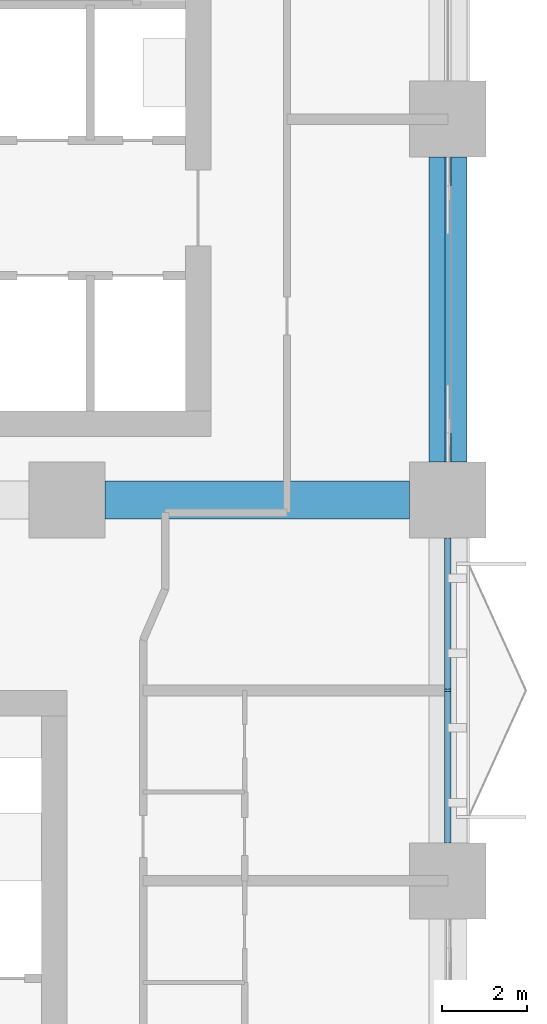
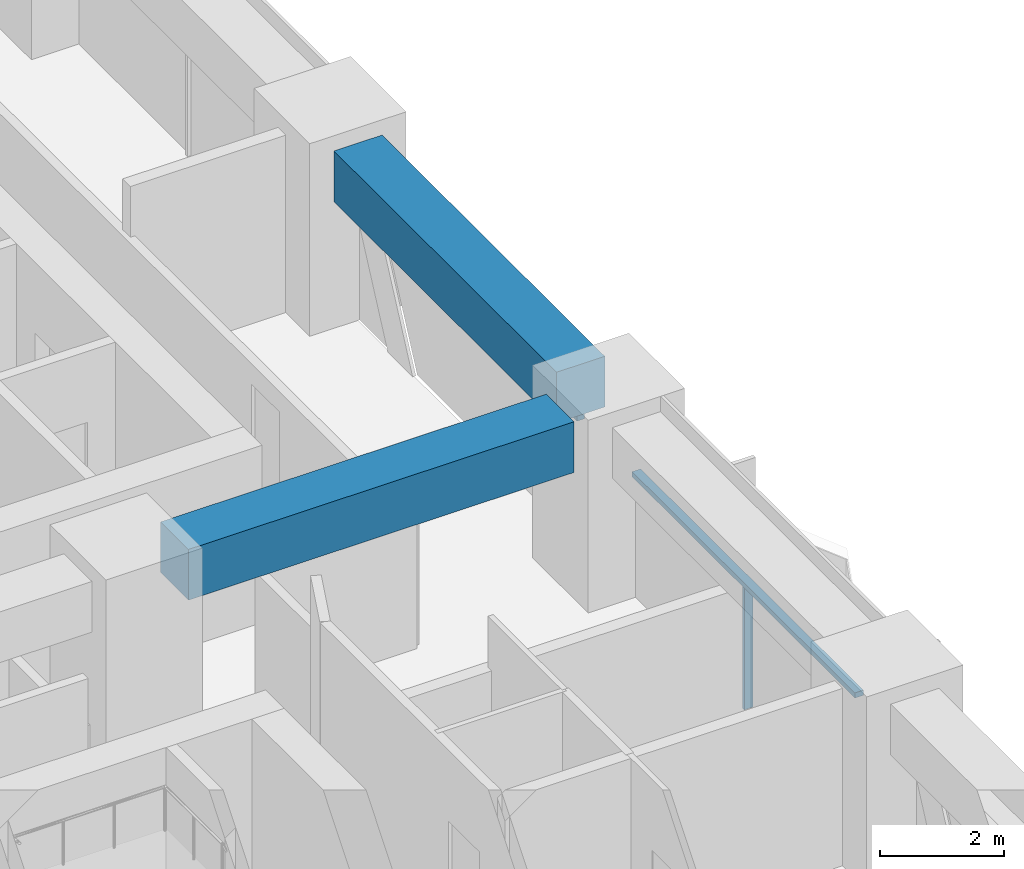
# One storey, part 5 of 18: 3 members, 2 beams, 2 elements without a shape of their own.
"""IFC4 building model written with IfcOpenShell, lengths in metres."""

import ifcopenshell
import ifcopenshell.guid

model = None  # the IFC model being written
_history = None  # IfcOwnerHistory: only IFC2X3 demands one
_inside = {}  # id of a spatial element -> (the spatial element, [elements in it])
_under = {}  # id of a project, library or spatial element -> (it, [spatial elements below it])
_declared = {}  # id of a project -> (the project, [libraries it declares])
_typed = {}  # id of a type object -> (the type object, [elements of that type])
_made_of = {}  # id of a material, layer set ... -> (it, [elements and type objects made of it])


def new_model(schema):
    """Start an empty IFC model of exactly this schema.

    Asked for "IFC4X3", IfcOpenShell would pick the latest addendum, in which some entities
    have other attributes; the version numbers below select the first issue.
    IFC2X3 requires an IfcOwnerHistory on every rooted entity: one is made here for all.
    """
    global model, _history
    if schema == "IFC4X3":
        model = ifcopenshell.file(schema_version=(4, 3, 0, 0))
    else:
        model = ifcopenshell.file(schema=schema)
    _inside.clear()
    _under.clear()
    _declared.clear()
    _typed.clear()
    _made_of.clear()
    _history = None
    if model.schema == "IFC2X3":
        org = make("IfcOrganization", Name="unknown")
        user = make(
            "IfcPersonAndOrganization",
            ThePerson=make("IfcPerson", FamilyName="unknown"),
            TheOrganization=org,
        )
        app = make(
            "IfcApplication",
            ApplicationDeveloper=org,
            Version="unknown",
            ApplicationFullName="unknown",
            ApplicationIdentifier="unknown",
        )
        _history = make(
            "IfcOwnerHistory",
            OwningUser=user,
            OwningApplication=app,
            ChangeAction="ADDED",
            CreationDate=0,
        )
    return model


def make(cls, **values):
    """One entity of the class cls with the attributes given. An attribute that is None is left unset."""
    return model.create_entity(
        cls, **{name: value for name, value in values.items() if value is not None}
    )


def rooted(cls, **values):
    """An entity with a GlobalId (a new one), such as an element, a storey or a relation."""
    return make(cls, GlobalId=ifcopenshell.guid.new(), OwnerHistory=_history, **values)


def si_unit(unit_type, name, prefix=None):
    """IfcSIUnit, for example si_unit("LENGTHUNIT", "METRE", prefix="MILLI")."""
    return make("IfcSIUnit", UnitType=unit_type, Prefix=prefix, Name=name)


def assignment(units):
    """IfcUnitAssignment: the units of a project."""
    return None if units is None else make("IfcUnitAssignment", Units=units)


def point(xyz):
    """IfcCartesianPoint."""
    return None if xyz is None else make("IfcCartesianPoint", Coordinates=xyz)


def direction(xyz):
    """IfcDirection."""
    return None if xyz is None else make("IfcDirection", DirectionRatios=xyz)


def frame(location, z_axis=None, x_axis=None):
    """IfcAxis2Placement3D, a coordinate frame: its origin and axes. An axis left out is left unset."""
    return make(
        "IfcAxis2Placement3D",
        Location=point(location),
        Axis=direction(z_axis),
        RefDirection=direction(x_axis),
    )


def frame_2d(location, x_axis=None):
    """IfcAxis2Placement2D, a coordinate frame in the plane: its origin and x axis."""
    return make(
        "IfcAxis2Placement2D", Location=point(location), RefDirection=direction(x_axis)
    )


def origin():
    """The frame at (0, 0, 0) with its axes left unset."""
    return frame((0.0, 0.0, 0.0))


def origin_2d():
    """The frame at (0, 0) in the plane with its x axis left unset."""
    return frame_2d((0.0, 0.0))


def place(relative_to, where):
    """IfcLocalPlacement: puts the frame where relative to a parent placement (None: the world)."""
    return make(
        "IfcLocalPlacement", PlacementRelTo=relative_to, RelativePlacement=where
    )


def context(
    kind, dimensions, precision=None, world=None, true_north=None, identifier=None
):
    """IfcGeometricRepresentationContext, for example the 3D "Model" context."""
    return make(
        "IfcGeometricRepresentationContext",
        ContextIdentifier=identifier,
        ContextType=kind,
        CoordinateSpaceDimension=dimensions,
        Precision=precision,
        WorldCoordinateSystem=world,
        TrueNorth=true_north,
    )


def subcontext(parent, identifier, kind, view, scale=None):
    """IfcGeometricRepresentationSubContext, for example "Body" below "Model"."""
    return make(
        "IfcGeometricRepresentationSubContext",
        ContextIdentifier=identifier,
        ContextType=kind,
        ParentContext=parent,
        TargetScale=scale,
        TargetView=view,
    )


def project(units=None, contexts=None):
    """IfcProject with its units and contexts."""
    return rooted(
        "IfcProject",
        Name="project",
        RepresentationContexts=contexts,
        UnitsInContext=assignment(units),
    )


def spatial(cls, under=None, at=None, **own):
    """A site, building, storey or space (cls), placed at a placement, below another one or the project."""
    s = rooted(cls, ObjectPlacement=at, **own)
    if under is not None:
        _under.setdefault(under.id(), (under, []))[1].append(s)
    return s


def profile(cls, at=None, kind="AREA", **sizes):
    """A parametric profile (cls). Its sizes go by their IFC names, for example OverallWidth=200.0."""
    return make(cls, ProfileType=kind, Position=at, **sizes)


def rectangle(**sizes):
    """IfcRectangleProfileDef."""
    return profile("IfcRectangleProfileDef", **sizes)


def extrude(swept, where, along, depth):
    """IfcExtrudedAreaSolid: the profile swept, set in the frame where, extruded along a direction by depth."""
    return make(
        "IfcExtrudedAreaSolid",
        SweptArea=swept,
        Position=where,
        ExtrudedDirection=direction(along),
        Depth=depth,
    )


def shape(context_of_items, identifier, shape_type, items):
    """IfcShapeRepresentation: the items that make up one representation, for example the "Body"."""
    return make(
        "IfcShapeRepresentation",
        ContextOfItems=context_of_items,
        RepresentationIdentifier=identifier,
        RepresentationType=shape_type,
        Items=items,
    )


def material(Name=None, Category=None):
    """IfcMaterial."""
    return make("IfcMaterial", Name=Name, Category=Category)


def material_profile(
    of_material, cross_section, Name=None, Category=None, Priority=None
):
    """IfcMaterialProfile: a cross section and its material."""
    return make(
        "IfcMaterialProfile",
        Name=Name,
        Material=of_material,
        Profile=cross_section,
        Priority=Priority,
        Category=Category,
    )


def profile_set(profiles, Name=None, composite=None):
    """IfcMaterialProfileSet."""
    return make(
        "IfcMaterialProfileSet",
        Name=Name,
        MaterialProfiles=profiles,
        CompositeProfile=composite,
    )


def made_of(thing, what):
    """Note that an element or type object is made of a material, layer set ...; save() writes the relation."""
    if what is not None:
        _made_of.setdefault(what.id(), (what, []))[1].append(thing)
    return thing


def type_object(cls, material=None, **own):
    """A type object (cls), such as IfcWallType, which elements share."""
    return made_of(rooted(cls, **own), material)


def element(
    cls,
    number,
    at=None,
    inside=None,
    cuts=None,
    type_object=None,
    material=None,
    context=None,
    identifier="Body",
    shape_type=None,
    held_by="IfcProductDefinitionShape",
    body=None,
    shapes=None,
    **own,
):
    """One element of the class cls, such as IfcWall. Its Tag is "e" and its number.

    at: its placement. inside: the storey or other place that contains it. cuts: it is an
    opening in that element (IfcRelVoidsElement). A single representation is given by context,
    identifier, shape_type and body (its items); several are given by shapes. held_by: the class
    of the entity that holds the representations. save() writes the other relations.
    """
    e = rooted(cls, Tag="e%d" % number, ObjectPlacement=at, **own)
    if body is not None:
        shapes = [shape(context, identifier, shape_type, body)]
    if shapes is not None:
        e.Representation = make(held_by, Representations=shapes)
    if inside is not None:
        _inside.setdefault(inside.id(), (inside, []))[1].append(e)
    if cuts is not None:
        rooted(
            "IfcRelVoidsElement", RelatingBuildingElement=cuts, RelatedOpeningElement=e
        )
    if type_object is not None:
        _typed.setdefault(type_object.id(), (type_object, []))[1].append(e)
    return made_of(e, material)


def aggregate(whole, parts):
    """IfcRelAggregates: a whole, such as a stair, and the parts it consists of."""
    return rooted("IfcRelAggregates", RelatingObject=whole, RelatedObjects=parts)


def save(model, path):
    """Write the relations noted so far, then the file.

    IfcRelAggregates (storeys below a building ...), IfcRelContainedInSpatialStructure (elements
    in a storey), IfcRelDefinesByType, IfcRelAssociatesMaterial and IfcRelDeclares: one each for
    every whole, place, type object, material and project.
    """
    for whole, parts in _under.values():
        aggregate(whole, parts)
    for where, things in _inside.values():
        rooted(
            "IfcRelContainedInSpatialStructure",
            RelatedElements=things,
            RelatingStructure=where,
        )
    for kind, things in _typed.values():
        rooted("IfcRelDefinesByType", RelatedObjects=things, RelatingType=kind)
    for what, things in _made_of.values():
        rooted("IfcRelAssociatesMaterial", RelatedObjects=things, RelatingMaterial=what)
    for by, libraries in _declared.values():
        rooted("IfcRelDeclares", RelatingContext=by, RelatedDefinitions=libraries)
    model.write(path)


model = new_model("IFC4")

# Units and contexts
model_context = context("Model", 3, precision=1e-05, world=origin(), true_north=direction((0.0, 1.0)))
body_context = subcontext(model_context, "Body", "Model", "MODEL_VIEW")
ifc_project = project(units=[si_unit("LENGTHUNIT", "METRE"), si_unit("AREAUNIT", "SQUARE_METRE"), si_unit("VOLUMEUNIT", "CUBIC_METRE"), si_unit("PLANEANGLEUNIT", "RADIAN"), si_unit("MASSUNIT", "GRAM", prefix="KILO")], contexts=[model_context])

# Site, building, storey
site_placement = place(None, origin())
site = spatial("IfcSite", under=ifc_project, at=site_placement, CompositionType="ELEMENT")
building_placement = place(site_placement, origin())
building = spatial("IfcBuilding", under=site, at=building_placement, Name="Tessera Arch", CompositionType="ELEMENT")
storey_placement = place(building_placement, frame((0.0, 0.0, 104.39990234375)))
storey = spatial("IfcBuildingStorey", under=building, at=storey_placement, Name="L24", CompositionType="ELEMENT", Elevation=104.39990234375)

# Curtain wall, members
ifc_material_1 = material(Name="CW1 curtain wall")
curtain_wall_type_1 = type_object("IfcCurtainWallType", Name="CW1 curtain wall", PredefinedType="NOTDEFINED", material=ifc_material_1)
curtain_wall_1_placement = place(storey_placement, origin())
curtain_wall_1 = element("IfcCurtainWall", 1, at=curtain_wall_1_placement, inside=storey, type_object=curtain_wall_type_1, Name="CW1 curtain wall E54.0/2 L24", PredefinedType="NOTDEFINED")
ifc_material_2 = material(Name="Anodised aluminium pale metal", Category="aluminium")
ifc_material_profile_1 = material_profile(ifc_material_2, rectangle(XDim=0.159912109375, YDim=0.06005859375, at=origin_2d()), Name="AL 60x160")
ifc_profile_set_1 = profile_set([ifc_material_profile_1], Name="Anodised aluminium pale metal")
member_type_1 = type_object("IfcMemberType", Name="CW1 mullion", PredefinedType="MULLION", material=ifc_profile_set_1)
member_1_placement = place(storey_placement, frame((54.0, 22.5, 0.0), z_axis=(0.0, 0.0, 1.0), x_axis=(-1.0, 0.0, 0.0)))
member_1 = element("IfcMember", 2, at=member_1_placement, type_object=member_type_1, Name="CW1 mullion E54.0/2 1", PredefinedType="MULLION", context=body_context, shape_type="SweptSolid", body=[
    extrude(rectangle(XDim=0.159912109375, YDim=0.06005859375, at=origin_2d()), origin(), (0.0, 0.0, 1.0), 2.400146484375),
])
ifc_material_3 = material(Name="Anodised aluminium pale metal", Category="aluminium")
ifc_material_profile_2 = material_profile(ifc_material_3, rectangle(XDim=0.159912109375, YDim=0.10009765625, at=origin_2d()), Name="AL 160x100")
ifc_profile_set_2 = profile_set([ifc_material_profile_2], Name="Anodised aluminium pale metal")
member_type_2 = type_object("IfcMemberType", Name="CW1 transom", PredefinedType="USERDEFINED", material=ifc_profile_set_2)
member_2_placement = place(storey_placement, frame((54.0, 18.89990234375, 2.4501953125), z_axis=(0.0, 1.0, 0.0), x_axis=(-1.0, 0.0, 0.0)))
member_2 = element("IfcMember", 3, at=member_2_placement, type_object=member_type_2, Name="CW1 transom E54.0/2 1.1", ObjectType="TRANSOM", PredefinedType="USERDEFINED", context=body_context, shape_type="SweptSolid", body=[
    extrude(rectangle(XDim=0.159912109375, YDim=0.10009765625, at=origin_2d()), origin(), (0.0, 0.0, 1.0), 7.2001953125),
])
aggregate(curtain_wall_1, [member_1, member_2])

# Curtain wall, member
ifc_material_4 = material(Name="CW3 curtain wall")
curtain_wall_type_2 = type_object("IfcCurtainWallType", Name="CW3 curtain wall", PredefinedType="NOTDEFINED", material=ifc_material_4)
curtain_wall_2_placement = place(storey_placement, origin())
curtain_wall_2 = element("IfcCurtainWall", 4, at=curtain_wall_2_placement, inside=storey, type_object=curtain_wall_type_2, Name="CW3 curtain wall E54.0/3 L24", PredefinedType="NOTDEFINED")
ifc_material_5 = material(Name="Anodised aluminium pale metal", Category="aluminium")
ifc_material_profile_3 = material_profile(ifc_material_5, rectangle(XDim=0.139892578125, YDim=0.10009765625, at=origin_2d()), Name="AL 140x100")
ifc_profile_set_3 = profile_set([ifc_material_profile_3], Name="Anodised aluminium pale metal")
member_type_3 = type_object("IfcMemberType", Name="CW3 transom", PredefinedType="USERDEFINED", material=ifc_profile_set_3)
member_3_placement = place(storey_placement, frame((54.0, 27.89990234375, 2.4501953125), z_axis=(0.0, 1.0, 0.0), x_axis=(-1.0, 0.0, 0.0)))
member_3 = element("IfcMember", 5, at=member_3_placement, type_object=member_type_3, Name="CW3 transom E54.0/3 1.1", ObjectType="TRANSOM", PredefinedType="USERDEFINED", context=body_context, shape_type="SweptSolid", body=[
    extrude(rectangle(XDim=0.139892578125, YDim=0.10009765625, at=origin_2d()), origin(), (0.0, 0.0, 1.0), 7.2001953125),
])
aggregate(curtain_wall_2, [member_3])

# Beams
ifc_material_6 = material(Name="Concrete C80/95", Category="concrete")
ifc_material_profile_4 = material_profile(ifc_material_6, rectangle(XDim=0.89990234375, YDim=1.0, at=origin_2d()), Name="RC spandrel beam 900 x 1000 Concrete C80/95")
ifc_profile_set_4 = profile_set([ifc_material_profile_4], Name="Concrete C80/95")
beam_type = type_object("IfcBeamType", Name="RC spandrel beam 900 x 1000 Concrete C80/95", PredefinedType="BEAM", material=ifc_profile_set_4)
for number, where, z_axis, x_axis, name in (
    (6, (54.0, 27.89990234375, 3.0), (0.0, 1.0, 0.0), (-1.0, 0.0, 0.0), "Spandrel beam L24 E54.0/3"),
    (7, (45.89990234375, 27.0, 3.0), (1.0, 0.0, 0.0), (0.0, 1.0, 0.0), "Interface beam L24 I1C6D-C7D"),
):
    element("IfcBeam", number, at=place(storey_placement, frame(where, z_axis=z_axis, x_axis=x_axis)), inside=storey, type_object=beam_type, Name=name, PredefinedType="BEAM", context=body_context, shape_type="SweptSolid", body=[
        extrude(rectangle(XDim=0.89990234375, YDim=1.0, at=origin_2d()), origin(), (0.0, 0.0, 1.0), 7.2001953125),
    ])

save(model, "model.ifc")
